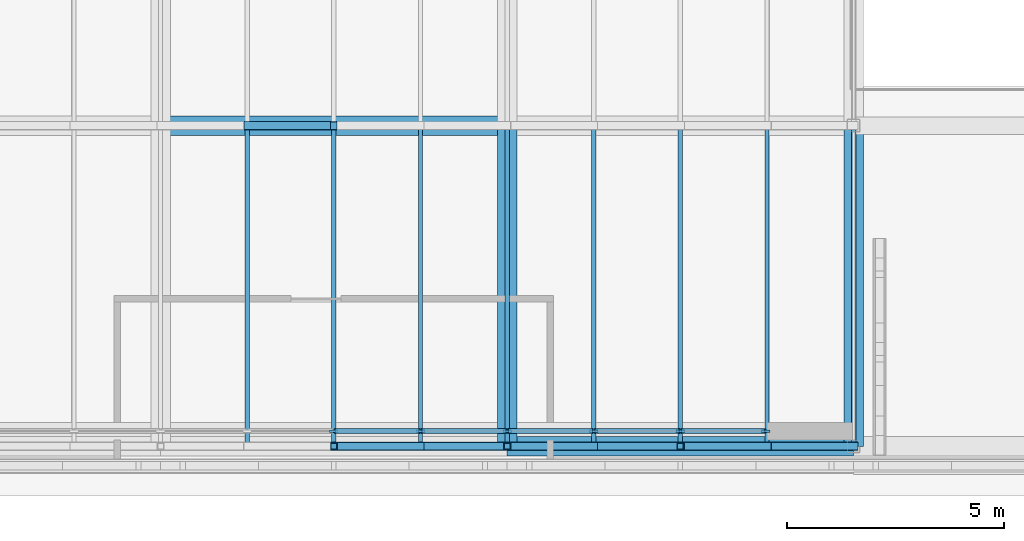
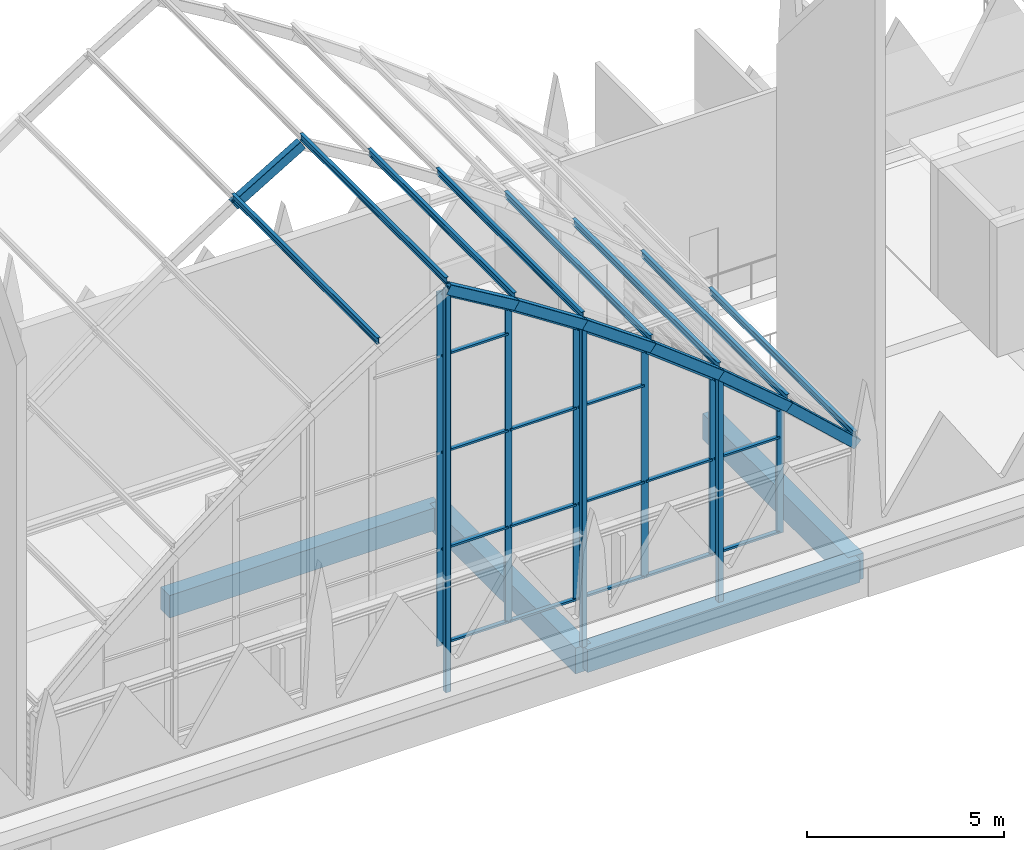
# One storey, part 6 of 18: 43 members, 4 beams, 1 element without a shape of its own.
"""IFC4 building model written with IfcOpenShell, lengths in metres."""

from ifc_helpers import new_model, si_unit, direction, frame, origin, origin_2d, place, context, subcontext, project, spatial, rectangle, hollow_rectangle, i_section, extrude, material, layer, layer_set, material_profile, profile_set, type_object, element, aggregate, save


model = new_model("IFC4")

# Units and contexts
model_context = context("Model", 3, precision=1e-05, world=origin(), true_north=direction((0.0, 1.0)))
body_context = subcontext(model_context, "Body", "Model", "MODEL_VIEW")
ifc_project = project(units=[si_unit("LENGTHUNIT", "METRE"), si_unit("AREAUNIT", "SQUARE_METRE"), si_unit("VOLUMEUNIT", "CUBIC_METRE"), si_unit("PLANEANGLEUNIT", "RADIAN"), si_unit("MASSUNIT", "GRAM", prefix="KILO")], contexts=[model_context])

# Site, building, storey
site_placement = place(None, origin())
site = spatial("IfcSite", under=ifc_project, at=site_placement, CompositionType="ELEMENT")
building_placement = place(site_placement, origin())
building = spatial("IfcBuilding", under=site, at=building_placement, Name="Lantern Court Media Centre", CompositionType="ELEMENT")
storey_placement = place(building_placement, frame((0.0, 0.0, 33.60009765625)))
storey = spatial("IfcBuildingStorey", under=building, at=storey_placement, Name="R00", CompositionType="ELEMENT", Elevation=33.60009765625)

# Curtain wall, members
ifc_material_1 = material(Name="Aluminium and glass", Category="aluminium")
ifc_layer = layer(ifc_material_1, 0.14990234375)
ifc_layer_set = layer_set([ifc_layer], Name="Aluminium and glass")
curtain_wall_type = type_object("IfcCurtainWallType", Name="Hall lancet glazing", PredefinedType="NOTDEFINED", material=ifc_layer_set)
curtain_wall_placement = place(storey_placement, origin())
curtain_wall = element("IfcCurtainWall", 1, at=curtain_wall_placement, inside=storey, type_object=curtain_wall_type, Name="Terrace pavilion HCW-V30 glazing", PredefinedType="NOTDEFINED")
ifc_material_2 = material(Name="Aluminium, anodised", Category="aluminium")
ifc_material_profile_1 = material_profile(ifc_material_2, rectangle(XDim=0.06005859375, YDim=0.199951171875, at=origin_2d()), Name="HM")
ifc_profile_set_1 = profile_set([ifc_material_profile_1], Name="Aluminium, anodised")
member_type_1 = type_object("IfcMemberType", Name="HM", PredefinedType="MULLION", material=ifc_profile_set_1)
member_1_placement = place(storey_placement, frame((52.0, 42.949951171875, 1.199951171875), z_axis=(0.0, 0.0, 1.0), x_axis=(0.0, 1.0, 0.0)))
member_1 = element("IfcMember", 2, at=member_1_placement, type_object=member_type_1, Name="HCW-V30 mullion 6", PredefinedType="MULLION", context=body_context, shape_type="SweptSolid", body=[
    extrude(rectangle(XDim=0.06005859375, YDim=0.199951171875, at=origin_2d()), origin(), (0.0, 0.0, 1.0), 11.0),
])
member_2_placement = place(storey_placement, frame((54.0, 42.949951171875, 1.199951171875), z_axis=(0.0, 0.0, 1.0), x_axis=(0.0, 1.0, 0.0)))
member_2 = element("IfcMember", 3, at=member_2_placement, type_object=member_type_1, Name="HCW-V30 mullion 7", PredefinedType="MULLION", context=body_context, shape_type="SweptSolid", body=[
    extrude(rectangle(XDim=0.06005859375, YDim=0.199951171875, at=origin_2d()), origin(), (0.0, 0.0, 1.0), 9.8076171875),
])
member_3_placement = place(storey_placement, frame((56.0, 42.949951171875, 1.199951171875), z_axis=(0.0, 0.0, 1.0), x_axis=(0.0, 1.0, 0.0)))
member_3 = element("IfcMember", 4, at=member_3_placement, type_object=member_type_1, Name="HCW-V30 mullion 8", PredefinedType="MULLION", context=body_context, shape_type="SweptSolid", body=[
    extrude(rectangle(XDim=0.06005859375, YDim=0.199951171875, at=origin_2d()), origin(), (0.0, 0.0, 1.0), 8.50634765625),
])
member_4_placement = place(storey_placement, frame((58.0, 42.949951171875, 1.199951171875), z_axis=(0.0, 0.0, 1.0), x_axis=(0.0, 1.0, 0.0)))
member_4 = element("IfcMember", 5, at=member_4_placement, type_object=member_type_1, Name="HCW-V30 mullion 9", PredefinedType="MULLION", context=body_context, shape_type="SweptSolid", body=[
    extrude(rectangle(XDim=0.06005859375, YDim=0.199951171875, at=origin_2d()), origin(), (0.0, 0.0, 1.0), 7.0869140625),
])
member_5_placement = place(storey_placement, frame((60.0, 42.949951171875, 1.199951171875), z_axis=(0.0, 0.0, 1.0), x_axis=(0.0, 1.0, 0.0)))
member_5 = element("IfcMember", 6, at=member_5_placement, type_object=member_type_1, Name="HCW-V30 mullion 10", PredefinedType="MULLION", context=body_context, shape_type="SweptSolid", body=[
    extrude(rectangle(XDim=0.06005859375, YDim=0.199951171875, at=origin_2d()), origin(), (0.0, 0.0, 1.0), 5.538818359375),
])
member_6_placement = place(storey_placement, frame((61.969970703125, 42.949951171875, 1.199951171875), z_axis=(0.0, 0.0, 1.0), x_axis=(0.0, 1.0, 0.0)))
member_6 = element("IfcMember", 7, at=member_6_placement, type_object=member_type_1, Name="HCW-V30 mullion 11", PredefinedType="MULLION", context=body_context, shape_type="SweptSolid", body=[
    extrude(rectangle(XDim=0.06005859375, YDim=0.199951171875, at=origin_2d()), origin(), (0.0, 0.0, 1.0), 3.875244140625),
])
ifc_material_profile_2 = material_profile(ifc_material_2, rectangle(XDim=0.1201171875, YDim=0.06005859375, at=origin_2d()), Name="HT")
ifc_profile_set_2 = profile_set([ifc_material_profile_2], Name="Aluminium, anodised")
member_type_2 = type_object("IfcMemberType", Name="HT", PredefinedType="USERDEFINED", material=ifc_profile_set_2)
member_7_placement = place(storey_placement, frame((52.030029296875, 42.949951171875, 1.260009765625), z_axis=(1.0, 0.0, 0.0), x_axis=(0.0, 1.0, 0.0)))
member_7 = element("IfcMember", 8, at=member_7_placement, type_object=member_type_2, Name="HCW-V30 transom 6.1", ObjectType="TRANSOM", PredefinedType="USERDEFINED", context=body_context, shape_type="SweptSolid", body=[
    extrude(rectangle(XDim=0.1201171875, YDim=0.06005859375, at=origin_2d()), origin(), (0.0, 0.0, 1.0), 1.93994140625),
])
member_8_placement = place(storey_placement, frame((52.030029296875, 42.949951171875, 4.199951171875), z_axis=(1.0, 0.0, 0.0), x_axis=(0.0, 1.0, 0.0)))
member_8 = element("IfcMember", 9, at=member_8_placement, type_object=member_type_2, Name="HCW-V30 transom 6.2", ObjectType="TRANSOM", PredefinedType="USERDEFINED", context=body_context, shape_type="SweptSolid", body=[
    extrude(rectangle(XDim=0.1201171875, YDim=0.06005859375, at=origin_2d()), origin(), (0.0, 0.0, 1.0), 1.93994140625),
])
member_9_placement = place(storey_placement, frame((52.030029296875, 42.949951171875, 7.199951171875), z_axis=(1.0, 0.0, 0.0), x_axis=(0.0, 1.0, 0.0)))
member_9 = element("IfcMember", 10, at=member_9_placement, type_object=member_type_2, Name="HCW-V30 transom 6.3", ObjectType="TRANSOM", PredefinedType="USERDEFINED", context=body_context, shape_type="SweptSolid", body=[
    extrude(rectangle(XDim=0.1201171875, YDim=0.06005859375, at=origin_2d()), origin(), (0.0, 0.0, 1.0), 1.93994140625),
])
member_10_placement = place(storey_placement, frame((52.030029296875, 42.949951171875, 10.199951171875), z_axis=(1.0, 0.0, 0.0), x_axis=(0.0, 1.0, 0.0)))
member_10 = element("IfcMember", 11, at=member_10_placement, type_object=member_type_2, Name="HCW-V30 transom 6.4", ObjectType="TRANSOM", PredefinedType="USERDEFINED", context=body_context, shape_type="SweptSolid", body=[
    extrude(rectangle(XDim=0.1201171875, YDim=0.06005859375, at=origin_2d()), origin(), (0.0, 0.0, 1.0), 1.93994140625),
])
member_11_placement = place(storey_placement, frame((52.030029296875, 42.949951171875, 12.122802734375), z_axis=(0.858948802878, 0.0, -0.512061474859), x_axis=(0.0, 1.0, 0.0)))
member_11 = element("IfcMember", 12, at=member_11_placement, type_object=member_type_2, Name="HCW-V30 head member 6", ObjectType="TRANSOM", PredefinedType="USERDEFINED", context=body_context, shape_type="SweptSolid", body=[
    extrude(rectangle(XDim=0.1201171875, YDim=0.06005859375, at=origin_2d()), origin(), (0.0, 0.0, 1.0), 2.258544921875),
])
member_12_placement = place(storey_placement, frame((54.030029296875, 42.949951171875, 1.260009765625), z_axis=(1.0, 0.0, 0.0), x_axis=(0.0, 1.0, 0.0)))
member_12 = element("IfcMember", 13, at=member_12_placement, type_object=member_type_2, Name="HCW-V30 transom 7.1", ObjectType="TRANSOM", PredefinedType="USERDEFINED", context=body_context, shape_type="SweptSolid", body=[
    extrude(rectangle(XDim=0.1201171875, YDim=0.06005859375, at=origin_2d()), origin(), (0.0, 0.0, 1.0), 1.93994140625),
])
member_13_placement = place(storey_placement, frame((54.030029296875, 42.949951171875, 4.199951171875), z_axis=(1.0, 0.0, 0.0), x_axis=(0.0, 1.0, 0.0)))
member_13 = element("IfcMember", 14, at=member_13_placement, type_object=member_type_2, Name="HCW-V30 transom 7.2", ObjectType="TRANSOM", PredefinedType="USERDEFINED", context=body_context, shape_type="SweptSolid", body=[
    extrude(rectangle(XDim=0.1201171875, YDim=0.06005859375, at=origin_2d()), origin(), (0.0, 0.0, 1.0), 1.93994140625),
])
member_14_placement = place(storey_placement, frame((54.030029296875, 42.949951171875, 7.199951171875), z_axis=(1.0, 0.0, 0.0), x_axis=(0.0, 1.0, 0.0)))
member_14 = element("IfcMember", 15, at=member_14_placement, type_object=member_type_2, Name="HCW-V30 transom 7.3", ObjectType="TRANSOM", PredefinedType="USERDEFINED", context=body_context, shape_type="SweptSolid", body=[
    extrude(rectangle(XDim=0.1201171875, YDim=0.06005859375, at=origin_2d()), origin(), (0.0, 0.0, 1.0), 1.93994140625),
])
member_15_placement = place(storey_placement, frame((54.030029296875, 42.949951171875, 10.928955078125), z_axis=(0.838149483115, 0.0, -0.545440596173), x_axis=(0.0, 1.0, 0.0)))
member_15 = element("IfcMember", 16, at=member_15_placement, type_object=member_type_2, Name="HCW-V30 head member 7", ObjectType="TRANSOM", PredefinedType="USERDEFINED", context=body_context, shape_type="SweptSolid", body=[
    extrude(rectangle(XDim=0.1201171875, YDim=0.06005859375, at=origin_2d()), origin(), (0.0, 0.0, 1.0), 2.314453125),
])
member_16_placement = place(storey_placement, frame((56.030029296875, 42.949951171875, 1.260009765625), z_axis=(1.0, 0.0, 0.0), x_axis=(0.0, 1.0, 0.0)))
member_16 = element("IfcMember", 17, at=member_16_placement, type_object=member_type_2, Name="HCW-V30 transom 8.1", ObjectType="TRANSOM", PredefinedType="USERDEFINED", context=body_context, shape_type="SweptSolid", body=[
    extrude(rectangle(XDim=0.1201171875, YDim=0.06005859375, at=origin_2d()), origin(), (0.0, 0.0, 1.0), 1.93994140625),
])
member_17_placement = place(storey_placement, frame((56.030029296875, 42.949951171875, 4.199951171875), z_axis=(1.0, 0.0, 0.0), x_axis=(0.0, 1.0, 0.0)))
member_17 = element("IfcMember", 18, at=member_17_placement, type_object=member_type_2, Name="HCW-V30 transom 8.2", ObjectType="TRANSOM", PredefinedType="USERDEFINED", context=body_context, shape_type="SweptSolid", body=[
    extrude(rectangle(XDim=0.1201171875, YDim=0.06005859375, at=origin_2d()), origin(), (0.0, 0.0, 1.0), 1.93994140625),
])
member_18_placement = place(storey_placement, frame((56.030029296875, 42.949951171875, 7.199951171875), z_axis=(1.0, 0.0, 0.0), x_axis=(0.0, 1.0, 0.0)))
member_18 = element("IfcMember", 19, at=member_18_placement, type_object=member_type_2, Name="HCW-V30 transom 8.3", ObjectType="TRANSOM", PredefinedType="USERDEFINED", context=body_context, shape_type="SweptSolid", body=[
    extrude(rectangle(XDim=0.1201171875, YDim=0.06005859375, at=origin_2d()), origin(), (0.0, 0.0, 1.0), 1.93994140625),
])
member_19_placement = place(storey_placement, frame((56.030029296875, 42.949951171875, 9.625732421875), z_axis=(0.815511832387, 0.0, -0.578740400557), x_axis=(0.0, 1.0, 0.0)))
member_19 = element("IfcMember", 20, at=member_19_placement, type_object=member_type_2, Name="HCW-V30 head member 8", ObjectType="TRANSOM", PredefinedType="USERDEFINED", context=body_context, shape_type="SweptSolid", body=[
    extrude(rectangle(XDim=0.1201171875, YDim=0.06005859375, at=origin_2d()), origin(), (0.0, 0.0, 1.0), 2.37890625),
])
member_20_placement = place(storey_placement, frame((58.030029296875, 42.949951171875, 1.260009765625), z_axis=(1.0, 0.0, 0.0), x_axis=(0.0, 1.0, 0.0)))
member_20 = element("IfcMember", 21, at=member_20_placement, type_object=member_type_2, Name="HCW-V30 transom 9.1", ObjectType="TRANSOM", PredefinedType="USERDEFINED", context=body_context, shape_type="SweptSolid", body=[
    extrude(rectangle(XDim=0.1201171875, YDim=0.06005859375, at=origin_2d()), origin(), (0.0, 0.0, 1.0), 1.93994140625),
])
member_21_placement = place(storey_placement, frame((58.030029296875, 42.949951171875, 4.199951171875), z_axis=(1.0, 0.0, 0.0), x_axis=(0.0, 1.0, 0.0)))
member_21 = element("IfcMember", 22, at=member_21_placement, type_object=member_type_2, Name="HCW-V30 transom 9.2", ObjectType="TRANSOM", PredefinedType="USERDEFINED", context=body_context, shape_type="SweptSolid", body=[
    extrude(rectangle(XDim=0.1201171875, YDim=0.06005859375, at=origin_2d()), origin(), (0.0, 0.0, 1.0), 1.93994140625),
])
member_22_placement = place(storey_placement, frame((58.030029296875, 42.949951171875, 8.20458984375), z_axis=(0.790807617855, 0.0, -0.612064793582), x_axis=(0.0, 1.0, 0.0)))
member_22 = element("IfcMember", 23, at=member_22_placement, type_object=member_type_2, Name="HCW-V30 head member 9", ObjectType="TRANSOM", PredefinedType="USERDEFINED", context=body_context, shape_type="SweptSolid", body=[
    extrude(rectangle(XDim=0.1201171875, YDim=0.06005859375, at=origin_2d()), origin(), (0.0, 0.0, 1.0), 2.453125),
])
member_23_placement = place(storey_placement, frame((60.030029296875, 42.949951171875, 1.260009765625), z_axis=(1.0, 0.0, 0.0), x_axis=(0.0, 1.0, 0.0)))
member_23 = element("IfcMember", 24, at=member_23_placement, type_object=member_type_2, Name="HCW-V30 transom 10.1", ObjectType="TRANSOM", PredefinedType="USERDEFINED", context=body_context, shape_type="SweptSolid", body=[
    extrude(rectangle(XDim=0.1201171875, YDim=0.06005859375, at=origin_2d()), origin(), (0.0, 0.0, 1.0), 1.909912109375),
])
member_24_placement = place(storey_placement, frame((60.030029296875, 42.949951171875, 4.199951171875), z_axis=(1.0, 0.0, 0.0), x_axis=(0.0, 1.0, 0.0)))
member_24 = element("IfcMember", 25, at=member_24_placement, type_object=member_type_2, Name="HCW-V30 transom 10.2", ObjectType="TRANSOM", PredefinedType="USERDEFINED", context=body_context, shape_type="SweptSolid", body=[
    extrude(rectangle(XDim=0.1201171875, YDim=0.06005859375, at=origin_2d()), origin(), (0.0, 0.0, 1.0), 1.909912109375),
])
member_25_placement = place(storey_placement, frame((60.030029296875, 42.949951171875, 6.654541015625), z_axis=(0.763986053412, 0.0, -0.645232756602), x_axis=(0.0, 1.0, 0.0)))
member_25 = element("IfcMember", 26, at=member_25_placement, type_object=member_type_2, Name="HCW-V30 head member 10", ObjectType="TRANSOM", PredefinedType="USERDEFINED", context=body_context, shape_type="SweptSolid", body=[
    extrude(rectangle(XDim=0.1201171875, YDim=0.06005859375, at=origin_2d()), origin(), (0.0, 0.0, 1.0), 2.5),
])
aggregate(curtain_wall, [member_1, member_2, member_3, member_4, member_5, member_6, member_7, member_8, member_9, member_10, member_11, member_12, member_13, member_14, member_15, member_16, member_17, member_18, member_19, member_20, member_21, member_22, member_23, member_24, member_25])

# Members
ifc_material_3 = material(Name="Steel S355J2 (EN 10025-2)", Category="steel")
ifc_material_profile_3 = material_profile(ifc_material_3, hollow_rectangle(XDim=0.199951171875, YDim=0.300048828125, WallThickness=0.010009765625, InnerFilletRadius=0.010009765625, OuterFilletRadius=0.014892578125, at=origin_2d()), Name="Pavilion arch RHS 300x200x10")
ifc_profile_set_3 = profile_set([ifc_material_profile_3], Name="Steel S355J2 (EN 10025-2)")
member_type_3 = type_object("IfcMemberType", Name="Pavilion arch RHS 300x200x10", PredefinedType="RAFTER", material=ifc_profile_set_3)
member_26_placement = place(storey_placement, frame((52.0, 42.60009765625, 12.5), z_axis=(0.858932784057, 0.0, -0.512088344401), x_axis=(0.0, 1.0, 0.0)))
element("IfcMember", 27, at=member_26_placement, inside=storey, type_object=member_type_3, Name="Pavilion arch 1 segment 7", PredefinedType="RAFTER", context=body_context, shape_type="SweptSolid", body=[
    extrude(hollow_rectangle(XDim=0.199951171875, YDim=0.300048828125, WallThickness=0.010009765625, InnerFilletRadius=0.010009765625, OuterFilletRadius=0.014892578125, at=origin_2d()), origin(), (0.0, 0.0, 1.0), 2.328369140625),
])
member_27_placement = place(storey_placement, frame((54.0, 42.60009765625, 11.3076171875), z_axis=(0.838153638931, 0.0, -0.5454342101), x_axis=(0.0, 1.0, 0.0)))
element("IfcMember", 28, at=member_27_placement, inside=storey, type_object=member_type_3, Name="Pavilion arch 1 segment 8", PredefinedType="RAFTER", context=body_context, shape_type="SweptSolid", body=[
    extrude(hollow_rectangle(XDim=0.199951171875, YDim=0.300048828125, WallThickness=0.010009765625, InnerFilletRadius=0.010009765625, OuterFilletRadius=0.014892578125, at=origin_2d()), origin(), (0.0, 0.0, 1.0), 2.38623046875),
])
member_28_placement = place(storey_placement, frame((56.0, 42.60009765625, 10.006103515625), z_axis=(0.815538972935, 0.0, -0.578702154501), x_axis=(0.0, 1.0, 0.0)))
element("IfcMember", 29, at=member_28_placement, inside=storey, type_object=member_type_3, Name="Pavilion arch 1 segment 9", PredefinedType="RAFTER", context=body_context, shape_type="SweptSolid", body=[
    extrude(hollow_rectangle(XDim=0.199951171875, YDim=0.300048828125, WallThickness=0.010009765625, InnerFilletRadius=0.010009765625, OuterFilletRadius=0.014892578125, at=origin_2d()), origin(), (0.0, 0.0, 1.0), 2.452392578125),
])
member_29_placement = place(storey_placement, frame((58.0, 42.60009765625, 8.5869140625), z_axis=(0.790779474833, 0.0, -0.612101153554), x_axis=(0.0, 1.0, 0.0)))
element("IfcMember", 30, at=member_29_placement, inside=storey, type_object=member_type_3, Name="Pavilion arch 1 segment 10", PredefinedType="RAFTER", context=body_context, shape_type="SweptSolid", body=[
    extrude(hollow_rectangle(XDim=0.199951171875, YDim=0.300048828125, WallThickness=0.010009765625, InnerFilletRadius=0.010009765625, OuterFilletRadius=0.014892578125, at=origin_2d()), origin(), (0.0, 0.0, 1.0), 2.529052734375),
])
member_30_placement = place(storey_placement, frame((60.0, 42.60009765625, 7.038818359375), z_axis=(0.763785766205, 0.0, -0.645469831474), x_axis=(0.0, 1.0, 0.0)))
element("IfcMember", 31, at=member_30_placement, inside=storey, type_object=member_type_3, Name="Pavilion arch 1 segment 11", PredefinedType="RAFTER", context=body_context, shape_type="SweptSolid", body=[
    extrude(hollow_rectangle(XDim=0.199951171875, YDim=0.300048828125, WallThickness=0.010009765625, InnerFilletRadius=0.010009765625, OuterFilletRadius=0.014892578125, at=origin_2d()), origin(), (0.0, 0.0, 1.0), 2.61865234375),
])
member_31_placement = place(storey_placement, frame((62.0, 42.60009765625, 5.3486328125), z_axis=(0.73434962729, 0.0, -0.678771408428), x_axis=(0.0, 1.0, 0.0)))
element("IfcMember", 32, at=member_31_placement, inside=storey, type_object=member_type_3, Name="Pavilion arch 1 segment 12", PredefinedType="RAFTER", context=body_context, shape_type="SweptSolid", body=[
    extrude(hollow_rectangle(XDim=0.199951171875, YDim=0.300048828125, WallThickness=0.010009765625, InnerFilletRadius=0.010009765625, OuterFilletRadius=0.014892578125, at=origin_2d()), origin(), (0.0, 0.0, 1.0), 2.723388671875),
])
member_32_placement = place(storey_placement, frame((50.0, 50.0, 11.3076171875), z_axis=(0.858932784057, 0.0, 0.512088344401), x_axis=(0.0, 1.0, 0.0)))
element("IfcMember", 33, at=member_32_placement, inside=storey, type_object=member_type_3, Name="Pavilion arch 2 segment 6", PredefinedType="RAFTER", context=body_context, shape_type="SweptSolid", body=[
    extrude(hollow_rectangle(XDim=0.199951171875, YDim=0.300048828125, WallThickness=0.010009765625, InnerFilletRadius=0.010009765625, OuterFilletRadius=0.014892578125, at=origin_2d()), origin(), (0.0, 0.0, 1.0), 2.328369140625),
])
ifc_material_profile_4 = material_profile(ifc_material_3, hollow_rectangle(XDim=0.14990234375, YDim=0.14990234375, WallThickness=0.00634765625, InnerFilletRadius=0.00634765625, OuterFilletRadius=0.009521484375, at=origin_2d()), Name="Pavilion gable post SHS 150x6.3")
ifc_profile_set_4 = profile_set([ifc_material_profile_4], Name="Steel S355J2 (EN 10025-2)")
member_type_4 = type_object("IfcMemberType", Name="Pavilion gable post SHS 150x6.3", PredefinedType="POST", material=ifc_profile_set_4)
member_33_placement = place(storey_placement, frame((52.0, 42.60009765625, 0.0), z_axis=(0.0, 0.0, 1.0), x_axis=(1.0, 0.0, 0.0)))
element("IfcMember", 34, at=member_33_placement, inside=storey, type_object=member_type_4, Name="Pavilion gable post 52", PredefinedType="POST", context=body_context, shape_type="SweptSolid", body=[
    extrude(hollow_rectangle(XDim=0.14990234375, YDim=0.14990234375, WallThickness=0.00634765625, InnerFilletRadius=0.00634765625, OuterFilletRadius=0.009521484375, at=origin_2d()), origin(), (0.0, 0.0, 1.0), 12.5),
])
member_34_placement = place(storey_placement, frame((56.0, 42.60009765625, 0.0), z_axis=(0.0, 0.0, 1.0), x_axis=(1.0, 0.0, 0.0)))
element("IfcMember", 35, at=member_34_placement, inside=storey, type_object=member_type_4, Name="Pavilion gable post 56", PredefinedType="POST", context=body_context, shape_type="SweptSolid", body=[
    extrude(hollow_rectangle(XDim=0.14990234375, YDim=0.14990234375, WallThickness=0.00634765625, InnerFilletRadius=0.00634765625, OuterFilletRadius=0.009521484375, at=origin_2d()), origin(), (0.0, 0.0, 1.0), 10.006103515625),
])
member_35_placement = place(storey_placement, frame((60.0, 42.60009765625, 0.0), z_axis=(0.0, 0.0, 1.0), x_axis=(1.0, 0.0, 0.0)))
element("IfcMember", 36, at=member_35_placement, inside=storey, type_object=member_type_4, Name="Pavilion gable post 60", PredefinedType="POST", context=body_context, shape_type="SweptSolid", body=[
    extrude(hollow_rectangle(XDim=0.14990234375, YDim=0.14990234375, WallThickness=0.00634765625, InnerFilletRadius=0.00634765625, OuterFilletRadius=0.009521484375, at=origin_2d()), origin(), (0.0, 0.0, 1.0), 7.038818359375),
])
ifc_material_profile_5 = material_profile(ifc_material_3, i_section(OverallWidth=0.10009765625, OverallDepth=0.199951171875, WebThickness=0.005615234375, FlangeThickness=0.008544921875, FilletRadius=0.011962890625, at=origin_2d()), Name="IPE 200")
ifc_profile_set_5 = profile_set([ifc_material_profile_5], Name="Steel S355J2 (EN 10025-2)")
member_type_5 = type_object("IfcMemberType", Name="Pavilion purlin IPE 200", PredefinedType="PURLIN", material=ifc_profile_set_5)
for number, where, z_axis, x_axis, name in (
    (37, (50.0, 42.60009765625, 11.5576171875), (0.0, 1.0, 0.0), (-1.0, 0.0, 0.0), "Pavilion purlin 6-1"),
    (38, (52.0, 42.60009765625, 12.728271484375), (0.0, 1.0, 0.0), (-1.0, 0.0, 0.0), "Pavilion purlin 7-1"),
    (39, (54.0, 42.60009765625, 11.5576171875), (0.0, 1.0, 0.0), (-1.0, 0.0, 0.0), "Pavilion purlin 8-1"),
    (40, (56.0, 42.60009765625, 10.256103515625), (0.0, 1.0, 0.0), (-1.0, 0.0, 0.0), "Pavilion purlin 9-1"),
    (41, (58.0, 42.60009765625, 8.8369140625), (0.0, 1.0, 0.0), (-1.0, 0.0, 0.0), "Pavilion purlin 10-1"),
    (42, (60.0, 42.60009765625, 7.288818359375), (0.0, 1.0, 0.0), (-1.0, 0.0, 0.0), "Pavilion purlin 11-1"),
    (43, (62.0, 42.60009765625, 5.5986328125), (0.0, 1.0, 0.0), (-1.0, 0.0, 0.0), "Pavilion purlin 12-1"),
    (44, (64.0, 42.60009765625, 3.75), (0.0, 1.0, 0.0), (-1.0, 0.0, 0.0), "Pavilion purlin 13-1"),
):
    element("IfcMember", number, at=place(storey_placement, frame(where, z_axis=z_axis, x_axis=x_axis)), inside=storey, type_object=member_type_5, Name=name, PredefinedType="PURLIN", context=body_context, shape_type="SweptSolid", body=[
        extrude(i_section(OverallWidth=0.10009765625, OverallDepth=0.199951171875, WebThickness=0.005615234375, FlangeThickness=0.008544921875, FilletRadius=0.011962890625, at=origin_2d()), origin(), (0.0, 0.0, 1.0), 7.39990234375),
    ])

# Beams
ifc_material_4 = material(Name="Concrete C35", Category="concrete")
ifc_material_profile_6 = material_profile(ifc_material_4, rectangle(XDim=0.449951171875, YDim=0.699951171875, at=origin_2d()), Name="RC 450x700")
ifc_profile_set_6 = profile_set([ifc_material_profile_6], Name="Concrete C35")
beam_type_1 = type_object("IfcBeamType", Name="RC BEAM 450x700", PredefinedType="BEAM", material=ifc_profile_set_6)
for number, where, z_axis, x_axis, name in (
    (45, (56.0, 42.60009765625, -0.35009765625), (1.0, 0.0, 0.0), (0.0, 1.0, 0.0), "LB-S-R00-0-4"),
    (46, (48.0, 50.0, -0.35009765625), (1.0, 0.0, 0.0), (0.0, 1.0, 0.0), "LB-S-R00-1-3"),
):
    element("IfcBeam", number, at=place(storey_placement, frame(where, z_axis=z_axis, x_axis=x_axis)), inside=storey, type_object=beam_type_1, Name=name, PredefinedType="BEAM", context=body_context, shape_type="SweptSolid", body=[
        extrude(rectangle(XDim=0.449951171875, YDim=0.699951171875, at=origin_2d()), origin(), (0.0, 0.0, 1.0), 8.0),
    ])
ifc_material_profile_7 = material_profile(ifc_material_4, rectangle(XDim=0.449951171875, YDim=0.800048828125, at=origin_2d()), Name="RC 450x800")
ifc_profile_set_7 = profile_set([ifc_material_profile_7], Name="Concrete C35")
beam_type_2 = type_object("IfcBeamType", Name="RC BEAM 450x800", PredefinedType="BEAM", material=ifc_profile_set_7)
for number, where, z_axis, x_axis, name in (
    (47, (56.0, 42.60009765625, -0.400146484375), (0.0, 1.0, 0.0), (-1.0, 0.0, 0.0), "TB-S-R00-4-1"),
    (48, (64.0, 42.60009765625, -0.400146484375), (0.0, 1.0, 0.0), (-1.0, 0.0, 0.0), "TB-S-R00-5-1"),
):
    element("IfcBeam", number, at=place(storey_placement, frame(where, z_axis=z_axis, x_axis=x_axis)), inside=storey, type_object=beam_type_2, Name=name, PredefinedType="BEAM", context=body_context, shape_type="SweptSolid", body=[
        extrude(rectangle(XDim=0.449951171875, YDim=0.800048828125, at=origin_2d()), origin(), (0.0, 0.0, 1.0), 7.39990234375),
    ])

save(model, "model.ifc")
